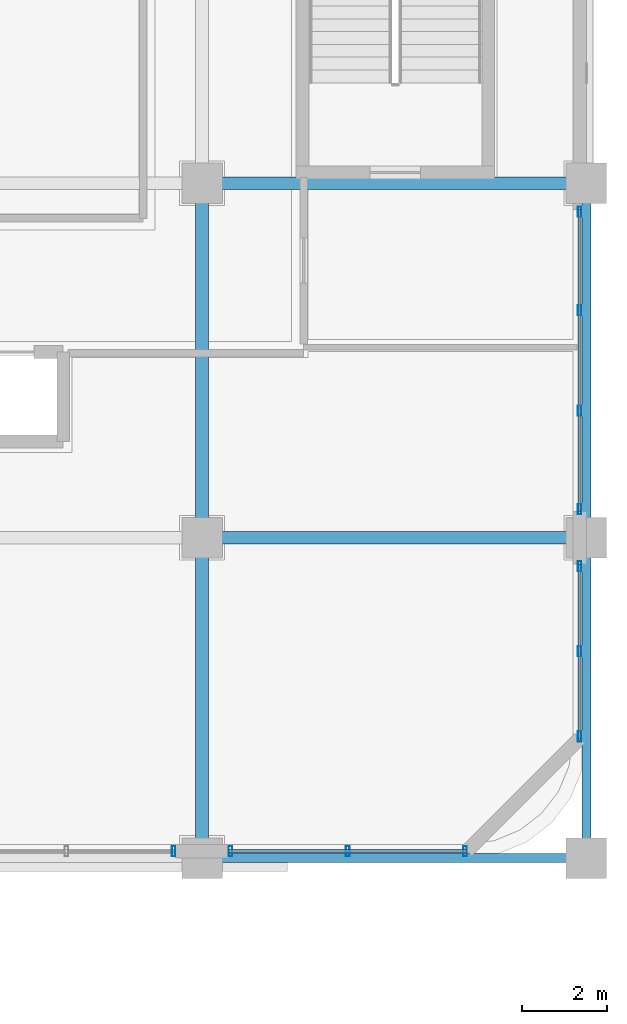
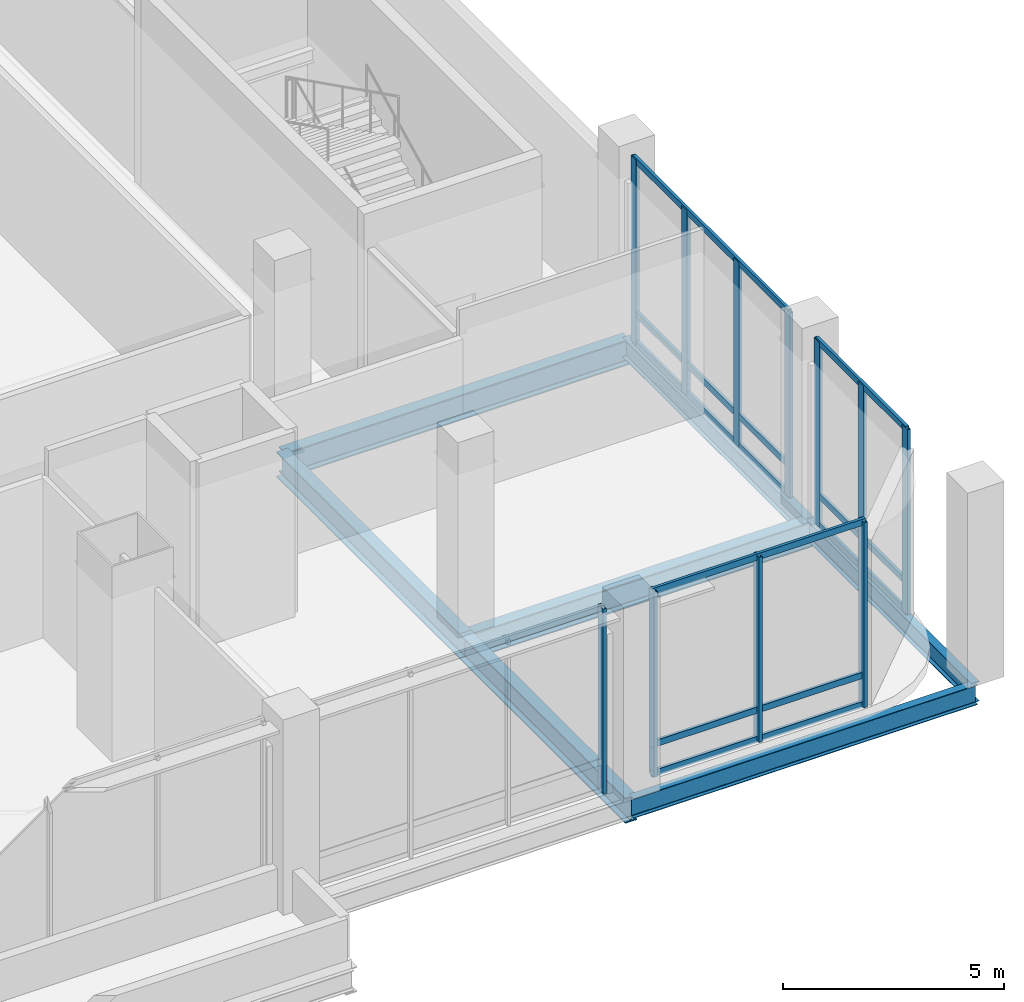
# One storey, part 21 of 43: 20 members, 7 beams, 4 elements without a shape of their own.
"""IFC4 building model written with IfcOpenShell, lengths in metres."""

from ifc_helpers import new_model, si_unit, direction, frame, origin, origin_2d, place, context, subcontext, project, spatial, hollow_rectangle, i_section, extrude, material, material_profile, profile_set, type_object, element, aggregate, save


model = new_model("IFC4")

# Units and contexts
model_context = context("Model", 3, precision=1e-05, world=origin(), true_north=direction((0.0, 1.0)))
body_context = subcontext(model_context, "Body", "Model", "MODEL_VIEW")
ifc_project = project(units=[si_unit("LENGTHUNIT", "METRE"), si_unit("AREAUNIT", "SQUARE_METRE"), si_unit("VOLUMEUNIT", "CUBIC_METRE"), si_unit("PLANEANGLEUNIT", "RADIAN"), si_unit("MASSUNIT", "GRAM", prefix="KILO")], contexts=[model_context])

# Site, building, storey
site_placement = place(None, origin())
site = spatial("IfcSite", under=ifc_project, at=site_placement, CompositionType="ELEMENT")
building_placement = place(site_placement, origin())
building = spatial("IfcBuilding", under=site, at=building_placement, Name="Punatoya Terracotta Tower", CompositionType="ELEMENT")
storey_placement = place(building_placement, frame((0.0, 0.0, 6.0)))
storey = spatial("IfcBuildingStorey", under=building, at=storey_placement, Name="L01", CompositionType="ELEMENT", Elevation=6.0)

# Beams
ifc_material_1 = material(Name="Steel S355", Category="steel")
ifc_material_profile_1 = material_profile(ifc_material_1, i_section(OverallWidth=0.300048828125, OverallDepth=0.699951171875, WebThickness=0.01708984375, FlangeThickness=0.031982421875, FilletRadius=0.01806640625, at=origin_2d()))
ifc_profile_set_1 = profile_set([ifc_material_profile_1], Name="Steel S355")
beam_type_1 = type_object("IfcBeamType", Name="BM-PRI-700", PredefinedType="BEAM", material=ifc_profile_set_1)
for number, where, z_axis, x_axis, name in (
    (1, (28.0, -17.5, -0.6298828125), (1.0, 0.0, 0.0), (0.0, 1.0, 0.0), "BM-L01-BE2"),
    (2, (28.0, -9.199951171875, -0.6298828125), (1.0, 0.0, 0.0), (0.0, 1.0, 0.0), "BM-L01-CE2"),
):
    element("IfcBeam", number, at=place(storey_placement, frame(where, z_axis=z_axis, x_axis=x_axis)), inside=storey, type_object=beam_type_1, Name=name, PredefinedType="BEAM", context=body_context, shape_type="SweptSolid", body=[
        extrude(i_section(OverallWidth=0.300048828125, OverallDepth=0.699951171875, WebThickness=0.01708984375, FlangeThickness=0.031982421875, FilletRadius=0.01806640625, at=origin_2d()), origin(), (0.0, 0.0, 1.0), 9.0),
    ])
beam_1_placement = place(storey_placement, frame((28.0, -25.0, -0.6298828125), z_axis=(0.0, 1.0, 0.0), x_axis=(-1.0, 0.0, 0.0)))
element("IfcBeam", 3, at=beam_1_placement, inside=storey, type_object=beam_type_1, Name="BM-L01-X28E--25", PredefinedType="BEAM", context=body_context, shape_type="SweptSolid", body=[
    extrude(i_section(OverallWidth=0.300048828125, OverallDepth=0.699951171875, WebThickness=0.01708984375, FlangeThickness=0.031982421875, FilletRadius=0.01806640625, at=origin_2d()), origin(), (0.0, 0.0, 1.0), 7.5),
])
beam_2_placement = place(storey_placement, frame((28.0, -17.5, -0.6298828125), z_axis=(0.0, 1.0, 0.0), x_axis=(-1.0, 0.0, 0.0)))
element("IfcBeam", 4, at=beam_2_placement, inside=storey, type_object=beam_type_1, Name="BM-L01-X28E--17", PredefinedType="BEAM", context=body_context, shape_type="SweptSolid", body=[
    extrude(i_section(OverallWidth=0.300048828125, OverallDepth=0.699951171875, WebThickness=0.01708984375, FlangeThickness=0.031982421875, FilletRadius=0.01806640625, at=origin_2d()), origin(), (0.0, 0.0, 1.0), 8.300048828125),
])
ifc_material_profile_2 = material_profile(ifc_material_1, i_section(OverallWidth=0.2099609375, OverallDepth=0.550048828125, WebThickness=0.010986328125, FlangeThickness=0.01708984375, FilletRadius=0.01806640625, at=origin_2d()))
ifc_profile_set_2 = profile_set([ifc_material_profile_2], Name="Steel S355")
beam_type_2 = type_object("IfcBeamType", Name="BM-SPN-550", PredefinedType="SPANDREL", material=ifc_profile_set_2)
beam_3_placement = place(storey_placement, frame((28.0, -25.0, -0.554931640625), z_axis=(1.0, 0.0, 0.0), x_axis=(0.0, 1.0, 0.0)))
element("IfcBeam", 5, at=beam_3_placement, inside=storey, type_object=beam_type_2, Name="BM-L01-AE2", PredefinedType="SPANDREL", context=body_context, shape_type="SweptSolid", body=[
    extrude(i_section(OverallWidth=0.2099609375, OverallDepth=0.550048828125, WebThickness=0.010986328125, FlangeThickness=0.01708984375, FilletRadius=0.01806640625, at=origin_2d()), origin(), (0.0, 0.0, 1.0), 9.0),
])
beam_4_placement = place(storey_placement, frame((37.0, -25.0, -0.554931640625), z_axis=(0.0, 1.0, 0.0), x_axis=(-1.0, 0.0, 0.0)))
element("IfcBeam", 6, at=beam_4_placement, inside=storey, type_object=beam_type_2, Name="BM-L01-X37E--25", PredefinedType="SPANDREL", context=body_context, shape_type="SweptSolid", body=[
    extrude(i_section(OverallWidth=0.2099609375, OverallDepth=0.550048828125, WebThickness=0.010986328125, FlangeThickness=0.01708984375, FilletRadius=0.01806640625, at=origin_2d()), origin(), (0.0, 0.0, 1.0), 7.5),
])
beam_5_placement = place(storey_placement, frame((37.0, -17.5, -0.554931640625), z_axis=(0.0, 1.0, 0.0), x_axis=(-1.0, 0.0, 0.0)))
element("IfcBeam", 7, at=beam_5_placement, inside=storey, type_object=beam_type_2, Name="BM-L01-X37E--17", PredefinedType="SPANDREL", context=body_context, shape_type="SweptSolid", body=[
    extrude(i_section(OverallWidth=0.2099609375, OverallDepth=0.550048828125, WebThickness=0.010986328125, FlangeThickness=0.01708984375, FilletRadius=0.01806640625, at=origin_2d()), origin(), (0.0, 0.0, 1.0), 8.300048828125),
])

# Curtain wall, member
ifc_material_2 = material(Name="Aluminium 6063-T6 + Double Low-E Glass", Category="aluminium")
curtain_wall_type = type_object("IfcCurtainWallType", Name="CW-POD", PredefinedType="NOTDEFINED", material=ifc_material_2)
curtain_wall_1_placement = place(storey_placement, origin())
curtain_wall_1 = element("IfcCurtainWall", 8, at=curtain_wall_1_placement, inside=storey, type_object=curtain_wall_type, Name="L01 Curtain Wall CWP-L01-S6", PredefinedType="NOTDEFINED")
ifc_material_3 = material(Name="Aluminium 6063-T6", Category="aluminium")
ifc_material_profile_3 = material_profile(ifc_material_3, hollow_rectangle(XDim=0.0849609375, YDim=0.239990234375, WallThickness=0.0048828125, at=origin_2d()))
ifc_profile_set_3 = profile_set([ifc_material_profile_3], Name="Aluminium 6063-T6")
member_type_1 = type_object("IfcMemberType", Name="CW-MUL-POD", PredefinedType="MULLION", material=ifc_profile_set_3)
member_1_placement = place(storey_placement, frame((27.3349609375, -24.840087890625, 0.0), z_axis=(0.0, 0.0, 1.0), x_axis=(1.0, 0.0, 0.0)))
member_1 = element("IfcMember", 9, at=member_1_placement, type_object=member_type_1, Name="CWP-L01-S6 Mullion 03", PredefinedType="MULLION", context=body_context, shape_type="SweptSolid", body=[
    extrude(hollow_rectangle(XDim=0.0849609375, YDim=0.239990234375, WallThickness=0.0048828125, at=origin_2d()), origin(), (0.0, 0.0, 1.0), 5.1201171875),
])
aggregate(curtain_wall_1, [member_1])

# Curtain wall, members
curtain_wall_2_placement = place(storey_placement, origin())
curtain_wall_2 = element("IfcCurtainWall", 10, at=curtain_wall_2_placement, inside=storey, type_object=curtain_wall_type, Name="L01 Curtain Wall CWP-L01-S7", PredefinedType="NOTDEFINED")
member_2_placement = place(storey_placement, frame((28.6650390625, -24.840087890625, 0.0), z_axis=(0.0, 0.0, 1.0), x_axis=(1.0, 0.0, 0.0)))
member_2 = element("IfcMember", 11, at=member_2_placement, type_object=member_type_1, Name="CWP-L01-S7 Mullion 00", PredefinedType="MULLION", context=body_context, shape_type="SweptSolid", body=[
    extrude(hollow_rectangle(XDim=0.0849609375, YDim=0.239990234375, WallThickness=0.0048828125, at=origin_2d()), origin(), (0.0, 0.0, 1.0), 5.1201171875),
])
member_3_placement = place(storey_placement, frame((31.409912109375, -24.840087890625, 0.0), z_axis=(0.0, 0.0, 1.0), x_axis=(1.0, 0.0, 0.0)))
member_3 = element("IfcMember", 12, at=member_3_placement, type_object=member_type_1, Name="CWP-L01-S7 Mullion 01", PredefinedType="MULLION", context=body_context, shape_type="SweptSolid", body=[
    extrude(hollow_rectangle(XDim=0.0849609375, YDim=0.239990234375, WallThickness=0.0048828125, at=origin_2d()), origin(), (0.0, 0.0, 1.0), 5.1201171875),
])
member_4_placement = place(storey_placement, frame((34.155029296875, -24.840087890625, 0.0), z_axis=(0.0, 0.0, 1.0), x_axis=(1.0, 0.0, 0.0)))
member_4 = element("IfcMember", 13, at=member_4_placement, type_object=member_type_1, Name="CWP-L01-S7 Mullion 02", PredefinedType="MULLION", context=body_context, shape_type="SweptSolid", body=[
    extrude(hollow_rectangle(XDim=0.0849609375, YDim=0.239990234375, WallThickness=0.0048828125, at=origin_2d()), origin(), (0.0, 0.0, 1.0), 5.1201171875),
])

curtain_wall_3_placement = place(storey_placement, origin())
curtain_wall_3 = element("IfcCurtainWall", 14, at=curtain_wall_3_placement, inside=storey, type_object=curtain_wall_type, Name="L01 Curtain Wall CWP-L01-E1", PredefinedType="NOTDEFINED")
member_5_placement = place(storey_placement, frame((36.840087890625, -18.1650390625, 0.0), z_axis=(0.0, 0.0, 1.0), x_axis=(1.0, 0.0, 0.0)))
member_5 = element("IfcMember", 15, at=member_5_placement, type_object=member_type_1, Name="CWP-L01-E1 Mullion 00", PredefinedType="MULLION", context=body_context, shape_type="SweptSolid", body=[
    extrude(hollow_rectangle(XDim=0.0849609375, YDim=0.239990234375, WallThickness=0.0048828125, at=origin_2d()), origin(), (0.0, 0.0, 1.0), 5.1201171875),
])
member_6_placement = place(storey_placement, frame((36.840087890625, -20.159912109375, 0.0), z_axis=(0.0, 0.0, 1.0), x_axis=(1.0, 0.0, 0.0)))
member_6 = element("IfcMember", 16, at=member_6_placement, type_object=member_type_1, Name="CWP-L01-E1 Mullion 01", PredefinedType="MULLION", context=body_context, shape_type="SweptSolid", body=[
    extrude(hollow_rectangle(XDim=0.0849609375, YDim=0.239990234375, WallThickness=0.0048828125, at=origin_2d()), origin(), (0.0, 0.0, 1.0), 5.1201171875),
])
member_7_placement = place(storey_placement, frame((36.840087890625, -22.155029296875, 0.0), z_axis=(0.0, 0.0, 1.0), x_axis=(1.0, 0.0, 0.0)))
member_7 = element("IfcMember", 17, at=member_7_placement, type_object=member_type_1, Name="CWP-L01-E1 Mullion 02", PredefinedType="MULLION", context=body_context, shape_type="SweptSolid", body=[
    extrude(hollow_rectangle(XDim=0.0849609375, YDim=0.239990234375, WallThickness=0.0048828125, at=origin_2d()), origin(), (0.0, 0.0, 1.0), 5.1201171875),
])

curtain_wall_4_placement = place(storey_placement, origin())
curtain_wall_4 = element("IfcCurtainWall", 18, at=curtain_wall_4_placement, inside=storey, type_object=curtain_wall_type, Name="L01 Curtain Wall CWP-L01-E2", PredefinedType="NOTDEFINED")
member_8_placement = place(storey_placement, frame((36.840087890625, -9.864990234375, 0.0), z_axis=(0.0, 0.0, 1.0), x_axis=(1.0, 0.0, 0.0)))
member_8 = element("IfcMember", 19, at=member_8_placement, type_object=member_type_1, Name="CWP-L01-E2 Mullion 00", PredefinedType="MULLION", context=body_context, shape_type="SweptSolid", body=[
    extrude(hollow_rectangle(XDim=0.0849609375, YDim=0.239990234375, WallThickness=0.0048828125, at=origin_2d()), origin(), (0.0, 0.0, 1.0), 5.1201171875),
])
member_9_placement = place(storey_placement, frame((36.840087890625, -12.17333984375, 0.0), z_axis=(0.0, 0.0, 1.0), x_axis=(1.0, 0.0, 0.0)))
member_9 = element("IfcMember", 20, at=member_9_placement, type_object=member_type_1, Name="CWP-L01-E2 Mullion 01", PredefinedType="MULLION", context=body_context, shape_type="SweptSolid", body=[
    extrude(hollow_rectangle(XDim=0.0849609375, YDim=0.239990234375, WallThickness=0.0048828125, at=origin_2d()), origin(), (0.0, 0.0, 1.0), 5.1201171875),
])
member_10_placement = place(storey_placement, frame((36.840087890625, -14.526611328125, 0.0), z_axis=(0.0, 0.0, 1.0), x_axis=(1.0, 0.0, 0.0)))
member_10 = element("IfcMember", 21, at=member_10_placement, type_object=member_type_1, Name="CWP-L01-E2 Mullion 02", PredefinedType="MULLION", context=body_context, shape_type="SweptSolid", body=[
    extrude(hollow_rectangle(XDim=0.0849609375, YDim=0.239990234375, WallThickness=0.0048828125, at=origin_2d()), origin(), (0.0, 0.0, 1.0), 5.1201171875),
])
member_11_placement = place(storey_placement, frame((36.840087890625, -16.8349609375, 0.0), z_axis=(0.0, 0.0, 1.0), x_axis=(1.0, 0.0, 0.0)))
member_11 = element("IfcMember", 22, at=member_11_placement, type_object=member_type_1, Name="CWP-L01-E2 Mullion 03", PredefinedType="MULLION", context=body_context, shape_type="SweptSolid", body=[
    extrude(hollow_rectangle(XDim=0.0849609375, YDim=0.239990234375, WallThickness=0.0048828125, at=origin_2d()), origin(), (0.0, 0.0, 1.0), 5.1201171875),
])

# Member
ifc_material_profile_4 = material_profile(ifc_material_3, hollow_rectangle(XDim=0.074951171875, YDim=0.175048828125, WallThickness=0.00439453125, at=origin_2d()))
ifc_profile_set_4 = profile_set([ifc_material_profile_4], Name="Aluminium 6063-T6")
member_type_2 = type_object("IfcMemberType", Name="CW-TRN-POD", PredefinedType="USERDEFINED", material=ifc_profile_set_4)
member_12_placement = place(storey_placement, frame((28.6201171875, -24.840087890625, 0.0400390625), z_axis=(1.0, 0.0, 0.0), x_axis=(0.0, 1.0, 0.0)))
member_12 = element("IfcMember", 23, at=member_12_placement, type_object=member_type_2, Name="CWP-L01-S7 Transom 1", ObjectType="TRANSOM", PredefinedType="USERDEFINED", context=body_context, shape_type="SweptSolid", body=[
    extrude(hollow_rectangle(XDim=0.074951171875, YDim=0.175048828125, WallThickness=0.00439453125, at=origin_2d()), origin(), (0.0, 0.0, 1.0), 5.579833984375),
])

member_13_placement = place(storey_placement, frame((28.6201171875, -24.840087890625, 0.85009765625), z_axis=(1.0, 0.0, 0.0), x_axis=(0.0, 1.0, 0.0)))
member_13 = element("IfcMember", 24, at=member_13_placement, type_object=member_type_2, Name="CWP-L01-S7 Transom 2", ObjectType="TRANSOM", PredefinedType="USERDEFINED", context=body_context, shape_type="SweptSolid", body=[
    extrude(hollow_rectangle(XDim=0.074951171875, YDim=0.175048828125, WallThickness=0.00439453125, at=origin_2d()), origin(), (0.0, 0.0, 1.0), 5.579833984375),
])

member_14_placement = place(storey_placement, frame((28.6201171875, -24.840087890625, 5.080078125), z_axis=(1.0, 0.0, 0.0), x_axis=(0.0, 1.0, 0.0)))
member_14 = element("IfcMember", 25, at=member_14_placement, type_object=member_type_2, Name="CWP-L01-S7 Transom 3", ObjectType="TRANSOM", PredefinedType="USERDEFINED", context=body_context, shape_type="SweptSolid", body=[
    extrude(hollow_rectangle(XDim=0.074951171875, YDim=0.175048828125, WallThickness=0.00439453125, at=origin_2d()), origin(), (0.0, 0.0, 1.0), 5.579833984375),
])

aggregate(curtain_wall_2, [member_2, member_3, member_4, member_12, member_13, member_14])

member_15_placement = place(storey_placement, frame((36.840087890625, -18.1201171875, 0.0400390625), z_axis=(0.0, -1.0, 0.0), x_axis=(1.0, 0.0, 0.0)))
member_15 = element("IfcMember", 26, at=member_15_placement, type_object=member_type_2, Name="CWP-L01-E1 Transom 1", ObjectType="TRANSOM", PredefinedType="USERDEFINED", context=body_context, shape_type="SweptSolid", body=[
    extrude(hollow_rectangle(XDim=0.074951171875, YDim=0.175048828125, WallThickness=0.00439453125, at=origin_2d()), origin(), (0.0, 0.0, 1.0), 4.079833984375),
])

member_16_placement = place(storey_placement, frame((36.840087890625, -18.1201171875, 0.85009765625), z_axis=(0.0, -1.0, 0.0), x_axis=(1.0, 0.0, 0.0)))
member_16 = element("IfcMember", 27, at=member_16_placement, type_object=member_type_2, Name="CWP-L01-E1 Transom 2", ObjectType="TRANSOM", PredefinedType="USERDEFINED", context=body_context, shape_type="SweptSolid", body=[
    extrude(hollow_rectangle(XDim=0.074951171875, YDim=0.175048828125, WallThickness=0.00439453125, at=origin_2d()), origin(), (0.0, 0.0, 1.0), 4.079833984375),
])

member_17_placement = place(storey_placement, frame((36.840087890625, -18.1201171875, 5.080078125), z_axis=(0.0, -1.0, 0.0), x_axis=(1.0, 0.0, 0.0)))
member_17 = element("IfcMember", 28, at=member_17_placement, type_object=member_type_2, Name="CWP-L01-E1 Transom 3", ObjectType="TRANSOM", PredefinedType="USERDEFINED", context=body_context, shape_type="SweptSolid", body=[
    extrude(hollow_rectangle(XDim=0.074951171875, YDim=0.175048828125, WallThickness=0.00439453125, at=origin_2d()), origin(), (0.0, 0.0, 1.0), 4.079833984375),
])

aggregate(curtain_wall_3, [member_5, member_6, member_7, member_15, member_16, member_17])

member_18_placement = place(storey_placement, frame((36.840087890625, -9.820068359375, 0.0400390625), z_axis=(0.0, -1.0, 0.0), x_axis=(1.0, 0.0, 0.0)))
member_18 = element("IfcMember", 29, at=member_18_placement, type_object=member_type_2, Name="CWP-L01-E2 Transom 1", ObjectType="TRANSOM", PredefinedType="USERDEFINED", context=body_context, shape_type="SweptSolid", body=[
    extrude(hollow_rectangle(XDim=0.074951171875, YDim=0.175048828125, WallThickness=0.00439453125, at=origin_2d()), origin(), (0.0, 0.0, 1.0), 7.059814453125),
])

member_19_placement = place(storey_placement, frame((36.840087890625, -9.820068359375, 0.85009765625), z_axis=(0.0, -1.0, 0.0), x_axis=(1.0, 0.0, 0.0)))
member_19 = element("IfcMember", 30, at=member_19_placement, type_object=member_type_2, Name="CWP-L01-E2 Transom 2", ObjectType="TRANSOM", PredefinedType="USERDEFINED", context=body_context, shape_type="SweptSolid", body=[
    extrude(hollow_rectangle(XDim=0.074951171875, YDim=0.175048828125, WallThickness=0.00439453125, at=origin_2d()), origin(), (0.0, 0.0, 1.0), 7.059814453125),
])

member_20_placement = place(storey_placement, frame((36.840087890625, -9.820068359375, 5.080078125), z_axis=(0.0, -1.0, 0.0), x_axis=(1.0, 0.0, 0.0)))
member_20 = element("IfcMember", 31, at=member_20_placement, type_object=member_type_2, Name="CWP-L01-E2 Transom 3", ObjectType="TRANSOM", PredefinedType="USERDEFINED", context=body_context, shape_type="SweptSolid", body=[
    extrude(hollow_rectangle(XDim=0.074951171875, YDim=0.175048828125, WallThickness=0.00439453125, at=origin_2d()), origin(), (0.0, 0.0, 1.0), 7.059814453125),
])

aggregate(curtain_wall_4, [member_8, member_9, member_10, member_11, member_18, member_19, member_20])

save(model, "model.ifc")
